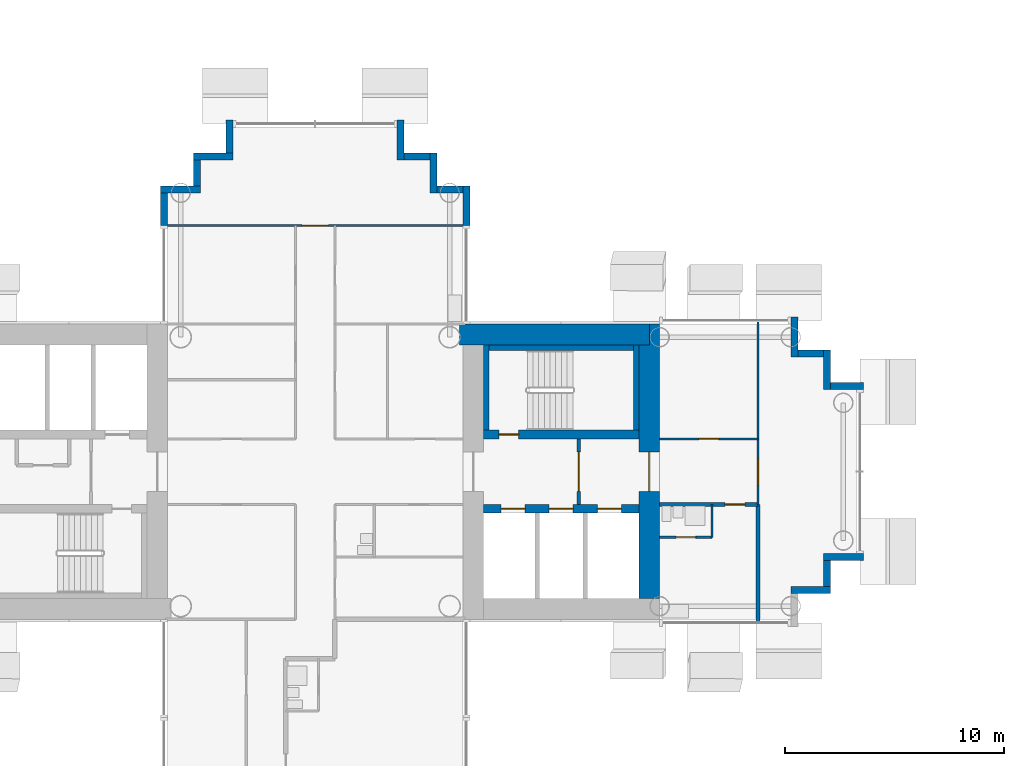
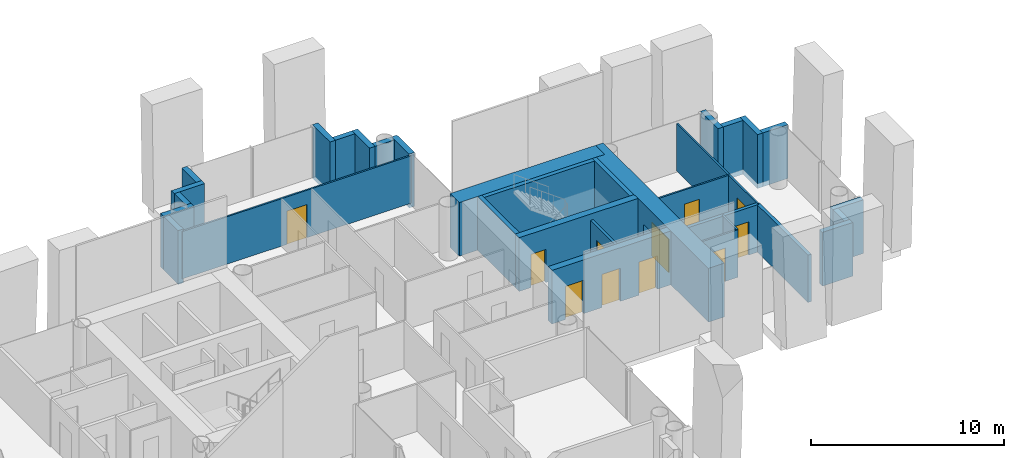
# One storey, part 10 of 20: 32 walls, 11 doors, 11 openings.
"""IFC4 building model written with IfcOpenShell, lengths in metres."""

from ifc_helpers import new_model, si_unit, direction, frame, frame_2d, origin, place, context, subcontext, project, spatial, rectangle, extrude, material, layer, layer_set, type_object, element, fill, save


model = new_model("IFC4")

# Units and contexts
model_context = context("Model", 3, precision=1e-05, world=origin(), true_north=direction((0.0, 1.0)))
body_context = subcontext(model_context, "Body", "Model", "MODEL_VIEW")
ifc_project = project(units=[si_unit("LENGTHUNIT", "METRE"), si_unit("AREAUNIT", "SQUARE_METRE"), si_unit("VOLUMEUNIT", "CUBIC_METRE"), si_unit("PLANEANGLEUNIT", "RADIAN"), si_unit("MASSUNIT", "GRAM", prefix="KILO")], contexts=[model_context])

# Site, building, storey
site_placement = place(None, origin())
site = spatial("IfcSite", under=ifc_project, at=site_placement, CompositionType="ELEMENT")
building_placement = place(site_placement, origin())
building = spatial("IfcBuilding", under=site, at=building_placement, Name="Ipe Terrace Towers", CompositionType="ELEMENT")
storey_placement = place(building_placement, frame((0.0, 0.0, 120.800048828125)))
storey = spatial("IfcBuildingStorey", under=building, at=storey_placement, Name="L33", CompositionType="ELEMENT", Elevation=120.800048828125)

# Walls
ifc_material_1 = material(Name="Concrete C40/50 with buff precast cladding", Category="concrete")
ifc_layer_1 = layer(ifc_material_1, 0.320068359375)
ifc_layer_set_1 = layer_set([ifc_layer_1], Name="BUFF CLADDING WALL 320")
wall_type_1 = type_object("IfcWallType", Name="BUFF CLADDING WALL 320", PredefinedType="STANDARD", material=ifc_layer_set_1)
wall_1_placement = place(storey_placement, frame((-14.25, -5.409912109375, -0.300048828125), z_axis=(0.0, 0.0, 1.0), x_axis=(1.0, 0.0, 0.0)))
element("IfcWall", 1, at=wall_1_placement, inside=storey, type_object=wall_type_1, Name="T1-W-L33-22a wall", PredefinedType="STANDARD", context=body_context, shape_type="SweptSolid", body=[
    extrude(rectangle(XDim=1.820068359375, YDim=0.320068359375, at=frame_2d((0.91015625, 0.0))), origin(), (0.0, 0.0, 1.0), 3.39990234375),
])
wall_2_placement = place(storey_placement, frame((-12.590087890625, -5.25, -0.300048828125), z_axis=(0.0, 0.0, 1.0), x_axis=(0.0, 1.0, 0.0)))
element("IfcWall", 2, at=wall_2_placement, inside=storey, type_object=wall_type_1, Name="T1-W-L33-23a wall", PredefinedType="STANDARD", context=body_context, shape_type="SweptSolid", body=[
    extrude(rectangle(XDim=1.179931640625, YDim=0.320068359375, at=frame_2d((0.58984375, 0.0))), origin(), (0.0, 0.0, 1.0), 3.39990234375),
])
wall_3_placement = place(storey_placement, frame((-12.75, -3.909912109375, -0.300048828125), z_axis=(0.0, 0.0, 1.0), x_axis=(1.0, 0.0, 0.0)))
element("IfcWall", 3, at=wall_3_placement, inside=storey, type_object=wall_type_1, Name="T1-W-L33-24a wall", PredefinedType="STANDARD", context=body_context, shape_type="SweptSolid", body=[
    extrude(rectangle(XDim=1.820068359375, YDim=0.320068359375, at=frame_2d((0.91015625, 0.0))), origin(), (0.0, 0.0, 1.0), 3.39990234375),
])
wall_4_placement = place(storey_placement, frame((-10.929931640625, 3.909912109375, -0.300048828125), z_axis=(0.0, 0.0, 1.0), x_axis=(-1.0, 0.0, 0.0)))
element("IfcWall", 4, at=wall_4_placement, inside=storey, type_object=wall_type_1, Name="T1-W-L33-26a wall", PredefinedType="STANDARD", context=body_context, shape_type="SweptSolid", body=[
    extrude(rectangle(XDim=1.5, YDim=0.320068359375, at=frame_2d((0.75, 0.0))), origin(), (0.0, 0.0, 1.0), 3.39990234375),
])
wall_5_placement = place(storey_placement, frame((-12.590087890625, 3.75, -0.300048828125), z_axis=(0.0, 0.0, 1.0), x_axis=(0.0, 1.0, 0.0)))
element("IfcWall", 5, at=wall_5_placement, inside=storey, type_object=wall_type_1, Name="T1-W-L33-27a wall", PredefinedType="STANDARD", context=body_context, shape_type="SweptSolid", body=[
    extrude(rectangle(XDim=1.820068359375, YDim=0.320068359375, at=frame_2d((0.91015625, 0.0))), origin(), (0.0, 0.0, 1.0), 3.39990234375),
])
wall_6_placement = place(storey_placement, frame((-12.75, 5.409912109375, -0.300048828125), z_axis=(0.0, 0.0, 1.0), x_axis=(-1.0, 0.0, 0.0)))
element("IfcWall", 6, at=wall_6_placement, inside=storey, type_object=wall_type_1, Name="T1-W-L33-28a wall", PredefinedType="STANDARD", context=body_context, shape_type="SweptSolid", body=[
    extrude(rectangle(XDim=1.179931640625, YDim=0.320068359375, at=frame_2d((0.58984375, 0.0))), origin(), (0.0, 0.0, 1.0), 3.39990234375),
])
for number, where, z_axis, x_axis, name in (
    (7, (-14.090087890625, 5.25, -0.300048828125), (0.0, 0.0, 1.0), (0.0, 1.0, 0.0), "T1-W-L33-29a wall"),
    (8, (-29.090087890625, 11.25, -0.300048828125), (0.0, 0.0, 1.0), (0.0, 1.0, 0.0), "T1-W-L33-33a wall"),
):
    element("IfcWall", number, at=place(storey_placement, frame(where, z_axis=z_axis, x_axis=x_axis)), inside=storey, type_object=wall_type_1, Name=name, PredefinedType="STANDARD", context=body_context, shape_type="SweptSolid", body=[
        extrude(rectangle(XDim=1.820068359375, YDim=0.320068359375, at=frame_2d((0.91015625, 0.0))), origin(), (0.0, 0.0, 1.0), 3.39990234375),
    ])
wall_7_placement = place(storey_placement, frame((-29.25, 12.909912109375, -0.300048828125), z_axis=(0.0, 0.0, 1.0), x_axis=(-1.0, 0.0, 0.0)))
element("IfcWall", 9, at=wall_7_placement, inside=storey, type_object=wall_type_1, Name="T1-W-L33-34a wall", PredefinedType="STANDARD", context=body_context, shape_type="SweptSolid", body=[
    extrude(rectangle(XDim=1.179931640625, YDim=0.320068359375, at=frame_2d((0.58984375, 0.0))), origin(), (0.0, 0.0, 1.0), 3.39990234375),
])
wall_8_placement = place(storey_placement, frame((-30.590087890625, 12.75, -0.300048828125), z_axis=(0.0, 0.0, 1.0), x_axis=(0.0, 1.0, 0.0)))
element("IfcWall", 10, at=wall_8_placement, inside=storey, type_object=wall_type_1, Name="T1-W-L33-35a wall", PredefinedType="STANDARD", context=body_context, shape_type="SweptSolid", body=[
    extrude(rectangle(XDim=1.820068359375, YDim=0.320068359375, at=frame_2d((0.91015625, 0.0))), origin(), (0.0, 0.0, 1.0), 3.39990234375),
])
wall_9_placement = place(storey_placement, frame((-30.75, 14.409912109375, -0.300048828125), z_axis=(0.0, 0.0, 1.0), x_axis=(-1.0, 0.0, 0.0)))
element("IfcWall", 11, at=wall_9_placement, inside=storey, type_object=wall_type_1, Name="T1-W-L33-36a wall", PredefinedType="STANDARD", context=body_context, shape_type="SweptSolid", body=[
    extrude(rectangle(XDim=1.179931640625, YDim=0.320068359375, at=frame_2d((0.58984375, 0.0))), origin(), (0.0, 0.0, 1.0), 3.39990234375),
])
wall_10_placement = place(storey_placement, frame((-32.090087890625, 14.25, -0.300048828125), z_axis=(0.0, 0.0, 1.0), x_axis=(0.0, 1.0, 0.0)))
element("IfcWall", 12, at=wall_10_placement, inside=storey, type_object=wall_type_1, Name="T1-W-L33-37a wall", PredefinedType="STANDARD", context=body_context, shape_type="SweptSolid", body=[
    extrude(rectangle(XDim=1.820068359375, YDim=0.320068359375, at=frame_2d((0.91015625, 0.0))), origin(), (0.0, 0.0, 1.0), 3.39990234375),
])
wall_11_placement = place(storey_placement, frame((-39.909912109375, 16.070068359375, -0.300048828125), z_axis=(0.0, 0.0, 1.0), x_axis=(0.0, -1.0, 0.0)))
element("IfcWall", 13, at=wall_11_placement, inside=storey, type_object=wall_type_1, Name="T1-W-L33-39a wall", PredefinedType="STANDARD", context=body_context, shape_type="SweptSolid", body=[
    extrude(rectangle(XDim=1.5, YDim=0.320068359375, at=frame_2d((0.75, 0.0))), origin(), (0.0, 0.0, 1.0), 3.39990234375),
])
wall_12_placement = place(storey_placement, frame((-39.75, 14.409912109375, -0.300048828125), z_axis=(0.0, 0.0, 1.0), x_axis=(-1.0, 0.0, 0.0)))
element("IfcWall", 14, at=wall_12_placement, inside=storey, type_object=wall_type_1, Name="T1-W-L33-40a wall", PredefinedType="STANDARD", context=body_context, shape_type="SweptSolid", body=[
    extrude(rectangle(XDim=1.820068359375, YDim=0.320068359375, at=frame_2d((0.91015625, 0.0))), origin(), (0.0, 0.0, 1.0), 3.39990234375),
])
wall_13_placement = place(storey_placement, frame((-41.409912109375, 14.25, -0.300048828125), z_axis=(0.0, 0.0, 1.0), x_axis=(0.0, -1.0, 0.0)))
element("IfcWall", 15, at=wall_13_placement, inside=storey, type_object=wall_type_1, Name="T1-W-L33-41a wall", PredefinedType="STANDARD", context=body_context, shape_type="SweptSolid", body=[
    extrude(rectangle(XDim=1.179931640625, YDim=0.320068359375, at=frame_2d((0.58984375, 0.0))), origin(), (0.0, 0.0, 1.0), 3.39990234375),
])
wall_14_placement = place(storey_placement, frame((-41.25, 12.909912109375, -0.300048828125), z_axis=(0.0, 0.0, 1.0), x_axis=(-1.0, 0.0, 0.0)))
element("IfcWall", 16, at=wall_14_placement, inside=storey, type_object=wall_type_1, Name="T1-W-L33-42a wall", PredefinedType="STANDARD", context=body_context, shape_type="SweptSolid", body=[
    extrude(rectangle(XDim=1.820068359375, YDim=0.320068359375, at=frame_2d((0.91015625, 0.0))), origin(), (0.0, 0.0, 1.0), 3.39990234375),
])
wall_15_placement = place(storey_placement, frame((-42.909912109375, 12.75, -0.300048828125), z_axis=(0.0, 0.0, 1.0), x_axis=(0.0, -1.0, 0.0)))
element("IfcWall", 17, at=wall_15_placement, inside=storey, type_object=wall_type_1, Name="T1-W-L33-43a wall", PredefinedType="STANDARD", context=body_context, shape_type="SweptSolid", body=[
    extrude(rectangle(XDim=1.5, YDim=0.320068359375, at=frame_2d((0.75, 0.0))), origin(), (0.0, 0.0, 1.0), 3.39990234375),
])
ifc_material_2 = material(Name="Gypsum board partition", Category="plasterboard")
ifc_layer_2 = layer(ifc_material_2, 0.10009765625)
ifc_layer_set_2 = layer_set([ifc_layer_2], Name="Gypsum board partition 100 mm")
wall_type_2 = type_object("IfcWallType", Name="Gypsum board partition 100 mm", PredefinedType="PARTITIONING", material=ifc_layer_set_2)
wall_16_placement = place(storey_placement, frame((-17.85009765625, -3.0, 0.0), z_axis=(0.0, 0.0, 1.0), x_axis=(0.0, 1.0, 0.0)))
element("IfcWall", 18, at=wall_16_placement, inside=storey, type_object=wall_type_2, Name="Gypsum board partition T1 L33 W16", PredefinedType="PARTITIONING", context=body_context, shape_type="SweptSolid", body=[
    extrude(rectangle(XDim=1.5, YDim=0.10009765625, at=frame_2d((0.75, 0.0))), origin(), (0.0, 0.0, 1.0), 3.0),
])

# Wall, opening, door
wall_17_placement = place(storey_placement, frame((-15.75, -1.5, 0.0), z_axis=(0.0, 0.0, 1.0), x_axis=(0.0, 1.0, 0.0)))
wall_17 = element("IfcWall", 19, at=wall_17_placement, inside=storey, type_object=wall_type_2, Name="Gypsum board partition T1 L33 W17", PredefinedType="PARTITIONING", context=body_context, shape_type="SweptSolid", body=[
    extrude(rectangle(XDim=8.35009765625, YDim=0.10009765625, at=frame_2d((4.175048828125, 0.0))), origin(), (0.0, 0.0, 1.0), 3.0),
])
opening_1_placement = place(wall_17_placement, frame((0.89990234375, 0.0, 0.0)))
opening_1 = element("IfcOpeningElement", 20, at=opening_1_placement, cuts=wall_17, Name="Opening T1-Z2D-19", PredefinedType="OPENING", context=body_context, shape_type="SweptSolid", body=[
    extrude(rectangle(XDim=1.199951171875, YDim=2.10009765625, at=frame_2d((0.60009765625, 1.050048828125))), frame((0.0, 0.06005859375, 0.0), z_axis=(0.0, -1.0, 0.0), x_axis=(1.0, 0.0, 0.0)), (0.0, 0.0, 1.0), 0.1201171875),
])
ifc_material_3 = material(Name="Timber door leaf", Category="wood")
door_type_1 = type_object("IfcDoorType", Name="Lounge door 1200 x 2100", OperationType="NOTDEFINED", PredefinedType="DOOR", material=ifc_material_3)
door_1_placement = place(opening_1_placement, origin())
door_1 = element("IfcDoor", 21, at=door_1_placement, inside=storey, type_object=door_type_1, Name="Lounge door T1-Z2D-19", OperationType="SINGLE_SWING_LEFT", OverallHeight=2.10009765625, OverallWidth=1.199951171875, PredefinedType="DOOR", context=body_context, shape_type="SweptSolid", body=[
    extrude(rectangle(XDim=1.199951171875, YDim=2.10009765625, at=frame_2d((0.60009765625, 1.050048828125))), frame((0.0, 0.02490234375, 0.0), z_axis=(0.0, -1.0, 0.0), x_axis=(1.0, 0.0, 0.0)), (0.0, 0.0, 1.0), 0.050048828125),
])
fill(opening_1, door_1)

wall_18_placement = place(storey_placement, frame((-20.25, -3.0, 0.0), z_axis=(0.0, 0.0, 1.0), x_axis=(1.0, 0.0, 0.0)))
wall_18 = element("IfcWall", 22, at=wall_18_placement, inside=storey, type_object=wall_type_2, Name="Gypsum board partition T1 L33 W27", PredefinedType="PARTITIONING", context=body_context, shape_type="SweptSolid", body=[
    extrude(rectangle(XDim=2.39990234375, YDim=0.10009765625, at=frame_2d((1.199951171875, 0.0))), origin(), (0.0, 0.0, 1.0), 3.0),
])
opening_2_placement = place(wall_18_placement, frame((0.75, 0.0, 0.0)))
opening_2 = element("IfcOpeningElement", 23, at=opening_2_placement, cuts=wall_18, Name="Opening T1-Z2D-18", PredefinedType="OPENING", context=body_context, shape_type="SweptSolid", body=[
    extrude(rectangle(XDim=0.89990234375, YDim=2.10009765625, at=frame_2d((0.449951171875, 1.050048828125))), frame((0.0, 0.06005859375, 0.0), z_axis=(0.0, -1.0, 0.0), x_axis=(1.0, 0.0, 0.0)), (0.0, 0.0, 1.0), 0.1201171875),
])
ifc_material_4 = material(Name="Timber door leaf", Category="wood")
door_type_2 = type_object("IfcDoorType", Name="Bathroom door 900 x 2100", OperationType="NOTDEFINED", PredefinedType="DOOR", material=ifc_material_4)
door_2_placement = place(opening_2_placement, origin())
door_2 = element("IfcDoor", 24, at=door_2_placement, inside=storey, type_object=door_type_2, Name="Bathroom door T1-Z2D-18", OperationType="SINGLE_SWING_LEFT", OverallHeight=2.10009765625, OverallWidth=0.89990234375, PredefinedType="DOOR", context=body_context, shape_type="SweptSolid", body=[
    extrude(rectangle(XDim=0.89990234375, YDim=2.10009765625, at=frame_2d((0.449951171875, 1.050048828125))), frame((0.0, 0.02490234375, 0.0), z_axis=(0.0, -1.0, 0.0), x_axis=(1.0, 0.0, 0.0)), (0.0, 0.0, 1.0), 0.050048828125),
])
fill(opening_2, door_2)

wall_19_placement = place(storey_placement, frame((-20.25, 1.5, 0.0), z_axis=(0.0, 0.0, 1.0), x_axis=(1.0, 0.0, 0.0)))
wall_19 = element("IfcWall", 25, at=wall_19_placement, inside=storey, type_object=wall_type_2, Name="Gypsum board partition T1 L33 W34", PredefinedType="PARTITIONING", context=body_context, shape_type="SweptSolid", body=[
    extrude(rectangle(XDim=4.5, YDim=0.10009765625, at=frame_2d((2.25, 0.0))), origin(), (0.0, 0.0, 1.0), 3.0),
])
opening_3_placement = place(wall_19_placement, frame((1.800048828125, 0.0, 0.0)))
opening_3 = element("IfcOpeningElement", 26, at=opening_3_placement, cuts=wall_19, Name="Opening T1-Z2D-16", PredefinedType="OPENING", context=body_context, shape_type="SweptSolid", body=[
    extrude(rectangle(XDim=0.89990234375, YDim=2.10009765625, at=frame_2d((0.449951171875, 1.050048828125))), frame((0.0, 0.06005859375, 0.0), z_axis=(0.0, -1.0, 0.0), x_axis=(1.0, 0.0, 0.0)), (0.0, 0.0, 1.0), 0.1201171875),
])
ifc_material_5 = material(Name="Timber door leaf", Category="wood")
door_type_3 = type_object("IfcDoorType", Name="Lounge door 900 x 2100", OperationType="NOTDEFINED", PredefinedType="DOOR", material=ifc_material_5)
door_3_placement = place(opening_3_placement, origin())
door_3 = element("IfcDoor", 27, at=door_3_placement, inside=storey, type_object=door_type_3, Name="Lounge door T1-Z2D-16", OperationType="SINGLE_SWING_LEFT", OverallHeight=2.10009765625, OverallWidth=0.89990234375, PredefinedType="DOOR", context=body_context, shape_type="SweptSolid", body=[
    extrude(rectangle(XDim=0.89990234375, YDim=2.10009765625, at=frame_2d((0.449951171875, 1.050048828125))), frame((0.0, 0.02490234375, 0.0), z_axis=(0.0, -1.0, 0.0), x_axis=(1.0, 0.0, 0.0)), (0.0, 0.0, 1.0), 0.050048828125),
])
fill(opening_3, door_3)

wall_20_placement = place(storey_placement, frame((-42.85009765625, 11.25, 0.0), z_axis=(0.0, 0.0, 1.0), x_axis=(1.0, 0.0, 0.0)))
wall_20 = element("IfcWall", 28, at=wall_20_placement, inside=storey, type_object=wall_type_2, Name="Gypsum board partition T1 L33 W40", PredefinedType="PARTITIONING", context=body_context, shape_type="SweptSolid", body=[
    extrude(rectangle(XDim=13.7001953125, YDim=0.10009765625, at=frame_2d((6.85009765625, 0.0))), origin(), (0.0, 0.0, 1.0), 3.0),
])
opening_4_placement = place(wall_20_placement, frame((6.25, 0.0, 0.0)))
opening_4 = element("IfcOpeningElement", 29, at=opening_4_placement, cuts=wall_20, Name="Opening T1-Z2D-11", PredefinedType="OPENING", context=body_context, shape_type="SweptSolid", body=[
    extrude(rectangle(XDim=1.199951171875, YDim=2.10009765625, at=frame_2d((0.60009765625, 1.050048828125))), frame((0.0, 0.06005859375, 0.0), z_axis=(0.0, -1.0, 0.0), x_axis=(1.0, 0.0, 0.0)), (0.0, 0.0, 1.0), 0.1201171875),
])
door_4_placement = place(opening_4_placement, origin())
door_4 = element("IfcDoor", 30, at=door_4_placement, inside=storey, type_object=door_type_1, Name="Lounge door T1-Z2D-11", OperationType="SINGLE_SWING_LEFT", OverallHeight=2.10009765625, OverallWidth=1.199951171875, PredefinedType="DOOR", context=body_context, shape_type="SweptSolid", body=[
    extrude(rectangle(XDim=1.199951171875, YDim=2.10009765625, at=frame_2d((0.60009765625, 1.050048828125))), frame((0.0, 0.02490234375, 0.0), z_axis=(0.0, -1.0, 0.0), x_axis=(1.0, 0.0, 0.0)), (0.0, 0.0, 1.0), 0.050048828125),
])
fill(opening_4, door_4)

ifc_material_6 = material(Name="Gypsum board partition", Category="plasterboard")
ifc_layer_3 = layer(ifc_material_6, 0.14990234375)
ifc_layer_set_3 = layer_set([ifc_layer_3], Name="Gypsum board partition 150 mm")
wall_type_3 = type_object("IfcWallType", Name="Gypsum board partition 150 mm", PredefinedType="PARTITIONING", material=ifc_layer_set_3)
wall_21_placement = place(storey_placement, frame((-23.949951171875, -1.5, 0.0), z_axis=(0.0, 0.0, 1.0), x_axis=(0.0, 1.0, 0.0)))
wall_21 = element("IfcWall", 31, at=wall_21_placement, inside=storey, type_object=wall_type_3, Name="Gypsum board partition T1 L33 t1c1-lobby-wall", PredefinedType="PARTITIONING", context=body_context, shape_type="SweptSolid", body=[
    extrude(rectangle(XDim=3.0, YDim=0.14990234375, at=frame_2d((1.5, 0.0))), origin(), (0.0, 0.0, 1.0), 3.0),
])
opening_5_placement = place(wall_21_placement, frame((0.60009765625, 0.0, 0.0)))
opening_5 = element("IfcOpeningElement", 32, at=opening_5_placement, cuts=wall_21, Name="Opening T1C1-VD", PredefinedType="OPENING", context=body_context, shape_type="SweptSolid", body=[
    extrude(rectangle(XDim=1.800048828125, YDim=2.10009765625, at=frame_2d((0.89990234375, 1.050048828125))), frame((0.0, 0.0849609375, 0.0), z_axis=(0.0, -1.0, 0.0), x_axis=(1.0, 0.0, 0.0)), (0.0, 0.0, 1.0), 0.169921875),
])
ifc_material_7 = material(Name="Fire-rated timber door leaf", Category="wood")
door_type_4 = type_object("IfcDoorType", Name="Lobby door 1800 x 2100 FD60", OperationType="NOTDEFINED", PredefinedType="DOOR", material=ifc_material_7)
door_5_placement = place(opening_5_placement, origin())
door_5 = element("IfcDoor", 33, at=door_5_placement, inside=storey, type_object=door_type_4, Name="Lobby door T1C1-VD", OperationType="SINGLE_SWING_LEFT", OverallHeight=2.10009765625, OverallWidth=1.800048828125, PredefinedType="DOOR", context=body_context, shape_type="SweptSolid", body=[
    extrude(rectangle(XDim=1.800048828125, YDim=2.10009765625, at=frame_2d((0.89990234375, 1.050048828125))), frame((0.0, 0.02490234375, 0.0), z_axis=(0.0, -1.0, 0.0), x_axis=(1.0, 0.0, 0.0)), (0.0, 0.0, 1.0), 0.050048828125),
])
fill(opening_5, door_5)

# Wall
ifc_material_8 = material(Name="Gypsum board party wall", Category="plasterboard")
ifc_layer_4 = layer(ifc_material_8, 0.199951171875)
ifc_layer_set_4 = layer_set([ifc_layer_4], Name="Gypsum board party wall 200 mm")
wall_type_4 = type_object("IfcWallType", Name="Gypsum board party wall 200 mm", PredefinedType="SOLIDWALL", material=ifc_layer_set_4)
wall_22_placement = place(storey_placement, frame((-15.75, -6.85009765625, 0.0), z_axis=(0.0, 0.0, 1.0), x_axis=(0.0, 1.0, 0.0)))
element("IfcWall", 34, at=wall_22_placement, inside=storey, type_object=wall_type_4, Name="Gypsum board party wall T1 L33 W18", PredefinedType="SOLIDWALL", context=body_context, shape_type="SweptSolid", body=[
    extrude(rectangle(XDim=5.35009765625, YDim=0.199951171875, at=frame_2d((2.675048828125, 0.0))), origin(), (0.0, 0.0, 1.0), 3.0),
])

# Wall, opening, door
wall_23_placement = place(storey_placement, frame((-20.25, -1.5, 0.0), z_axis=(0.0, 0.0, 1.0), x_axis=(1.0, 0.0, 0.0)))
wall_23 = element("IfcWall", 35, at=wall_23_placement, inside=storey, type_object=wall_type_4, Name="Gypsum board party wall T1 L33 W31", PredefinedType="SOLIDWALL", context=body_context, shape_type="SweptSolid", body=[
    extrude(rectangle(XDim=4.5, YDim=0.199951171875, at=frame_2d((2.25, 0.0))), origin(), (0.0, 0.0, 1.0), 3.0),
])
opening_6_placement = place(wall_23_placement, frame((3.0, 0.0, 0.0)))
opening_6 = element("IfcOpeningElement", 36, at=opening_6_placement, cuts=wall_23, Name="Opening T1-Z2D-17", PredefinedType="OPENING", context=body_context, shape_type="SweptSolid", body=[
    extrude(rectangle(XDim=0.89990234375, YDim=2.10009765625, at=frame_2d((0.449951171875, 1.050048828125))), frame((0.0, 0.10986328125, 0.0), z_axis=(0.0, -1.0, 0.0), x_axis=(1.0, 0.0, 0.0)), (0.0, 0.0, 1.0), 0.219970703125),
])
ifc_material_9 = material(Name="Fire-rated timber door leaf", Category="wood")
door_type_5 = type_object("IfcDoorType", Name="Flat entrance door 900 x 2100 FD30S", OperationType="NOTDEFINED", PredefinedType="DOOR", material=ifc_material_9)
door_6_placement = place(opening_6_placement, origin())
door_6 = element("IfcDoor", 37, at=door_6_placement, inside=storey, type_object=door_type_5, Name="Flat entrance door T1-Z2D-17", OperationType="SINGLE_SWING_RIGHT", OverallHeight=2.10009765625, OverallWidth=0.89990234375, PredefinedType="DOOR", context=body_context, shape_type="SweptSolid", body=[
    extrude(rectangle(XDim=0.89990234375, YDim=2.10009765625, at=frame_2d((0.449951171875, 1.050048828125))), frame((0.0, 0.02490234375, 0.0), z_axis=(0.0, -1.0, 0.0), x_axis=(1.0, 0.0, 0.0)), (0.0, 0.0, 1.0), 0.050048828125),
])
fill(opening_6, door_6)

# Walls
ifc_material_10 = material(Name="Concrete C50/60", Category="concrete")
ifc_layer_5 = layer(ifc_material_10, 0.25)
ifc_layer_set_5 = layer_set([ifc_layer_5], Name="RW250 CORE INFILL WALL 250 C50-60")
wall_type_5 = type_object("IfcWallType", Name="RW250 CORE INFILL WALL 250 C50-60", PredefinedType="SHEAR", material=ifc_layer_set_5)
wall_24_placement = place(storey_placement, frame((-21.324951171875, 1.89990234375, 0.0), z_axis=(0.0, 0.0, 1.0), x_axis=(0.0, 1.0, 0.0)))
element("IfcWall", 38, at=wall_24_placement, inside=storey, type_object=wall_type_5, Name="Core infill wall T1-C1-far", PredefinedType="SHEAR", context=body_context, shape_type="SweptSolid", body=[
    extrude(rectangle(XDim=3.900146484375, YDim=0.25, at=frame_2d((1.9501953125, 0.0))), origin(), (0.0, 0.0, 1.0), 3.39990234375),
])
wall_25_placement = place(storey_placement, frame((-28.050048828125, 5.675048828125, 0.0), z_axis=(0.0, 0.0, 1.0), x_axis=(1.0, 0.0, 0.0)))
element("IfcWall", 39, at=wall_25_placement, inside=storey, type_object=wall_type_5, Name="Core infill wall T1-C1-back", PredefinedType="SHEAR", context=body_context, shape_type="SweptSolid", body=[
    extrude(rectangle(XDim=6.60009765625, YDim=0.25, at=frame_2d((3.300048828125, 0.0))), origin(), (0.0, 0.0, 1.0), 3.39990234375),
])
wall_26_placement = place(storey_placement, frame((-28.175048828125, 1.89990234375, 0.0), z_axis=(0.0, 0.0, 1.0), x_axis=(0.0, 1.0, 0.0)))
element("IfcWall", 40, at=wall_26_placement, inside=storey, type_object=wall_type_5, Name="Core infill wall T1-C1-near", PredefinedType="SHEAR", context=body_context, shape_type="SweptSolid", body=[
    extrude(rectangle(XDim=3.900146484375, YDim=0.25, at=frame_2d((1.9501953125, 0.0))), origin(), (0.0, 0.0, 1.0), 3.39990234375),
])

# Wall, openings, doors
ifc_material_11 = material(Name="Concrete C50/60", Category="concrete")
ifc_layer_6 = layer(ifc_material_11, 0.39990234375)
ifc_layer_set_6 = layer_set([ifc_layer_6], Name="RW400 CORE SPINE WALL 400 C50-60")
wall_type_6 = type_object("IfcWallType", Name="RW400 CORE SPINE WALL 400 C50-60", PredefinedType="SHEAR", material=ifc_layer_set_6)
wall_27_placement = place(storey_placement, frame((-28.300048828125, -1.699951171875, 0.0), z_axis=(0.0, 0.0, 1.0), x_axis=(1.0, 0.0, 0.0)))
wall_27 = element("IfcWall", 41, at=wall_27_placement, inside=storey, type_object=wall_type_6, Name="Core spine wall T1-C1-Z2-SW1", PredefinedType="SHEAR", context=body_context, shape_type="SweptSolid", body=[
    extrude(rectangle(XDim=7.10009765625, YDim=0.39990234375, at=frame_2d((3.550048828125, 0.0))), origin(), (0.0, 0.0, 1.0), 3.39990234375),
])
opening_7_placement = place(wall_27_placement, frame((0.800048828125, 0.0, 0.0)))
opening_7 = element("IfcOpeningElement", 42, at=opening_7_placement, cuts=wall_27, Name="Opening T1C1-LD1", PredefinedType="OPENING", context=body_context, shape_type="SweptSolid", body=[
    extrude(rectangle(XDim=1.10009765625, YDim=2.10009765625, at=frame_2d((0.550048828125, 1.050048828125))), frame((0.0, 0.2099609375, 0.0), z_axis=(0.0, -1.0, 0.0), x_axis=(1.0, 0.0, 0.0)), (0.0, 0.0, 1.0), 0.419921875),
])
opening_8_placement = place(wall_27_placement, frame((3.0, 0.0, 0.0)))
opening_8 = element("IfcOpeningElement", 43, at=opening_8_placement, cuts=wall_27, Name="Opening T1C1-LD2", PredefinedType="OPENING", context=body_context, shape_type="SweptSolid", body=[
    extrude(rectangle(XDim=1.10009765625, YDim=2.10009765625, at=frame_2d((0.550048828125, 1.050048828125))), frame((0.0, 0.2099609375, 0.0), z_axis=(0.0, -1.0, 0.0), x_axis=(1.0, 0.0, 0.0)), (0.0, 0.0, 1.0), 0.419921875),
])
opening_9_placement = place(wall_27_placement, frame((5.199951171875, 0.0, 0.0)))
opening_9 = element("IfcOpeningElement", 44, at=opening_9_placement, cuts=wall_27, Name="Opening T1C1-LD3", PredefinedType="OPENING", context=body_context, shape_type="SweptSolid", body=[
    extrude(rectangle(XDim=1.10009765625, YDim=2.10009765625, at=frame_2d((0.550048828125, 1.050048828125))), frame((0.0, 0.2099609375, 0.0), z_axis=(0.0, -1.0, 0.0), x_axis=(1.0, 0.0, 0.0)), (0.0, 0.0, 1.0), 0.419921875),
])
ifc_material_12 = material(Name="Fire-rated timber door leaf", Category="wood")
door_type_6 = type_object("IfcDoorType", Name="Sliding door 1100 x 2100 FD60", OperationType="SLIDING_TO_LEFT", PredefinedType="DOOR", material=ifc_material_12)
door_7_placement = place(opening_7_placement, origin())
door_7 = element("IfcDoor", 45, at=door_7_placement, inside=storey, type_object=door_type_6, Name="Sliding door T1C1-LD1", OperationType="SLIDING_TO_LEFT", OverallHeight=2.10009765625, OverallWidth=1.10009765625, PredefinedType="DOOR", context=body_context, shape_type="SweptSolid", body=[
    extrude(rectangle(XDim=1.10009765625, YDim=2.10009765625, at=frame_2d((0.550048828125, 1.050048828125))), frame((0.0, 0.02490234375, 0.0), z_axis=(0.0, -1.0, 0.0), x_axis=(1.0, 0.0, 0.0)), (0.0, 0.0, 1.0), 0.050048828125),
])
fill(opening_7, door_7)
door_8_placement = place(opening_8_placement, origin())
door_8 = element("IfcDoor", 46, at=door_8_placement, inside=storey, type_object=door_type_6, Name="Sliding door T1C1-LD2", OperationType="SLIDING_TO_LEFT", OverallHeight=2.10009765625, OverallWidth=1.10009765625, PredefinedType="DOOR", context=body_context, shape_type="SweptSolid", body=[
    extrude(rectangle(XDim=1.10009765625, YDim=2.10009765625, at=frame_2d((0.550048828125, 1.050048828125))), frame((0.0, 0.02490234375, 0.0), z_axis=(0.0, -1.0, 0.0), x_axis=(1.0, 0.0, 0.0)), (0.0, 0.0, 1.0), 0.050048828125),
])
fill(opening_8, door_8)
door_9_placement = place(opening_9_placement, origin())
door_9 = element("IfcDoor", 47, at=door_9_placement, inside=storey, type_object=door_type_6, Name="Sliding door T1C1-LD3", OperationType="SLIDING_TO_LEFT", OverallHeight=2.10009765625, OverallWidth=1.10009765625, PredefinedType="DOOR", context=body_context, shape_type="SweptSolid", body=[
    extrude(rectangle(XDim=1.10009765625, YDim=2.10009765625, at=frame_2d((0.550048828125, 1.050048828125))), frame((0.0, 0.02490234375, 0.0), z_axis=(0.0, -1.0, 0.0), x_axis=(1.0, 0.0, 0.0)), (0.0, 0.0, 1.0), 0.050048828125),
])
fill(opening_9, door_9)

# Wall, opening, door
wall_28_placement = place(storey_placement, frame((-28.300048828125, 1.699951171875, 0.0), z_axis=(0.0, 0.0, 1.0), x_axis=(1.0, 0.0, 0.0)))
wall_28 = element("IfcWall", 48, at=wall_28_placement, inside=storey, type_object=wall_type_6, Name="Core spine wall T1-C1-Z2-SW2", PredefinedType="SHEAR", context=body_context, shape_type="SweptSolid", body=[
    extrude(rectangle(XDim=7.10009765625, YDim=0.39990234375, at=frame_2d((3.550048828125, 0.0))), origin(), (0.0, 0.0, 1.0), 3.39990234375),
])
opening_10_placement = place(wall_28_placement, frame((0.699951171875, 0.0, 0.0)))
opening_10 = element("IfcOpeningElement", 49, at=opening_10_placement, cuts=wall_28, Name="Opening T1C1-SD", PredefinedType="OPENING", context=body_context, shape_type="SweptSolid", body=[
    extrude(rectangle(XDim=0.89990234375, YDim=2.10009765625, at=frame_2d((0.449951171875, 1.050048828125))), frame((0.0, 0.2099609375, 0.0), z_axis=(0.0, -1.0, 0.0), x_axis=(1.0, 0.0, 0.0)), (0.0, 0.0, 1.0), 0.419921875),
])
ifc_material_13 = material(Name="Fire-rated timber door leaf", Category="wood")
door_type_7 = type_object("IfcDoorType", Name="Stair door 900 x 2100 FD60", OperationType="NOTDEFINED", PredefinedType="DOOR", material=ifc_material_13)
door_10_placement = place(opening_10_placement, origin())
door_10 = element("IfcDoor", 50, at=door_10_placement, inside=storey, type_object=door_type_7, Name="Stair door T1C1-SD", OperationType="SINGLE_SWING_LEFT", OverallHeight=2.10009765625, OverallWidth=0.89990234375, PredefinedType="DOOR", context=body_context, shape_type="SweptSolid", body=[
    extrude(rectangle(XDim=0.89990234375, YDim=2.10009765625, at=frame_2d((0.449951171875, 1.050048828125))), frame((0.0, 0.02490234375, 0.0), z_axis=(0.0, -1.0, 0.0), x_axis=(1.0, 0.0, 0.0)), (0.0, 0.0, 1.0), 0.050048828125),
])
fill(opening_10, door_10)

ifc_material_14 = material(Name="Concrete C50/60", Category="concrete")
ifc_layer_7 = layer(ifc_material_14, 0.949951171875)
ifc_layer_set_7 = layer_set([ifc_layer_7], Name="RW950 CORE WALL 950 C50-60")
wall_type_7 = type_object("IfcWallType", Name="RW950 CORE WALL 950 C50-60", PredefinedType="SHEAR", material=ifc_layer_set_7)
wall_29_placement = place(storey_placement, frame((-20.72509765625, -5.800048828125, 0.0), z_axis=(0.0, 0.0, 1.0), x_axis=(0.0, 1.0, 0.0)))
wall_29 = element("IfcWall", 51, at=wall_29_placement, inside=storey, type_object=wall_type_7, Name="Core wall T1-C1-Z2-W02", PredefinedType="SHEAR", context=body_context, shape_type="SweptSolid", body=[
    extrude(rectangle(XDim=12.550048828125, YDim=0.949951171875, at=frame_2d((6.27490234375, 0.0))), origin(), (0.0, 0.0, 1.0), 3.39990234375),
])
opening_11_placement = place(wall_29_placement, frame((4.89990234375, 0.0, 0.0)))
opening_11 = element("IfcOpeningElement", 52, at=opening_11_placement, cuts=wall_29, Name="Opening T1C1-FD", PredefinedType="OPENING", context=body_context, shape_type="SweptSolid", body=[
    extrude(rectangle(XDim=1.800048828125, YDim=2.10009765625, at=frame_2d((0.89990234375, 1.050048828125))), frame((0.0, 0.48486328125, 0.0), z_axis=(0.0, -1.0, 0.0), x_axis=(1.0, 0.0, 0.0)), (0.0, 0.0, 1.0), 0.969970703125),
])
ifc_material_15 = material(Name="Fire-rated timber door leaf", Category="wood")
door_type_8 = type_object("IfcDoorType", Name="Fire door 1800 x 2100 FD30S", OperationType="NOTDEFINED", PredefinedType="DOOR", material=ifc_material_15)
door_11_placement = place(opening_11_placement, origin())
door_11 = element("IfcDoor", 53, at=door_11_placement, inside=storey, type_object=door_type_8, Name="Fire door T1C1-FD", OperationType="SINGLE_SWING_LEFT", OverallHeight=2.10009765625, OverallWidth=1.800048828125, PredefinedType="DOOR", context=body_context, shape_type="SweptSolid", body=[
    extrude(rectangle(XDim=1.800048828125, YDim=2.10009765625, at=frame_2d((0.89990234375, 1.050048828125))), frame((0.0, 0.02490234375, 0.0), z_axis=(0.0, -1.0, 0.0), x_axis=(1.0, 0.0, 0.0)), (0.0, 0.0, 1.0), 0.050048828125),
])
fill(opening_11, door_11)

# Wall
wall_30_placement = place(storey_placement, frame((-20.701904296875, 6.27490234375, 0.0), z_axis=(0.0, 0.0, 1.0), x_axis=(-1.0, 0.0, 0.0)))
element("IfcWall", 54, at=wall_30_placement, inside=storey, type_object=wall_type_7, Name="Core wall T1-C1-Z2-W03", PredefinedType="SHEAR", context=body_context, shape_type="SweptSolid", body=[
    extrude(rectangle(XDim=8.696044921875, YDim=0.949951171875, at=frame_2d((4.34814453125, 0.0))), origin(), (0.0, 0.0, 1.0), 3.39990234375),
])

save(model, "model.ifc")
